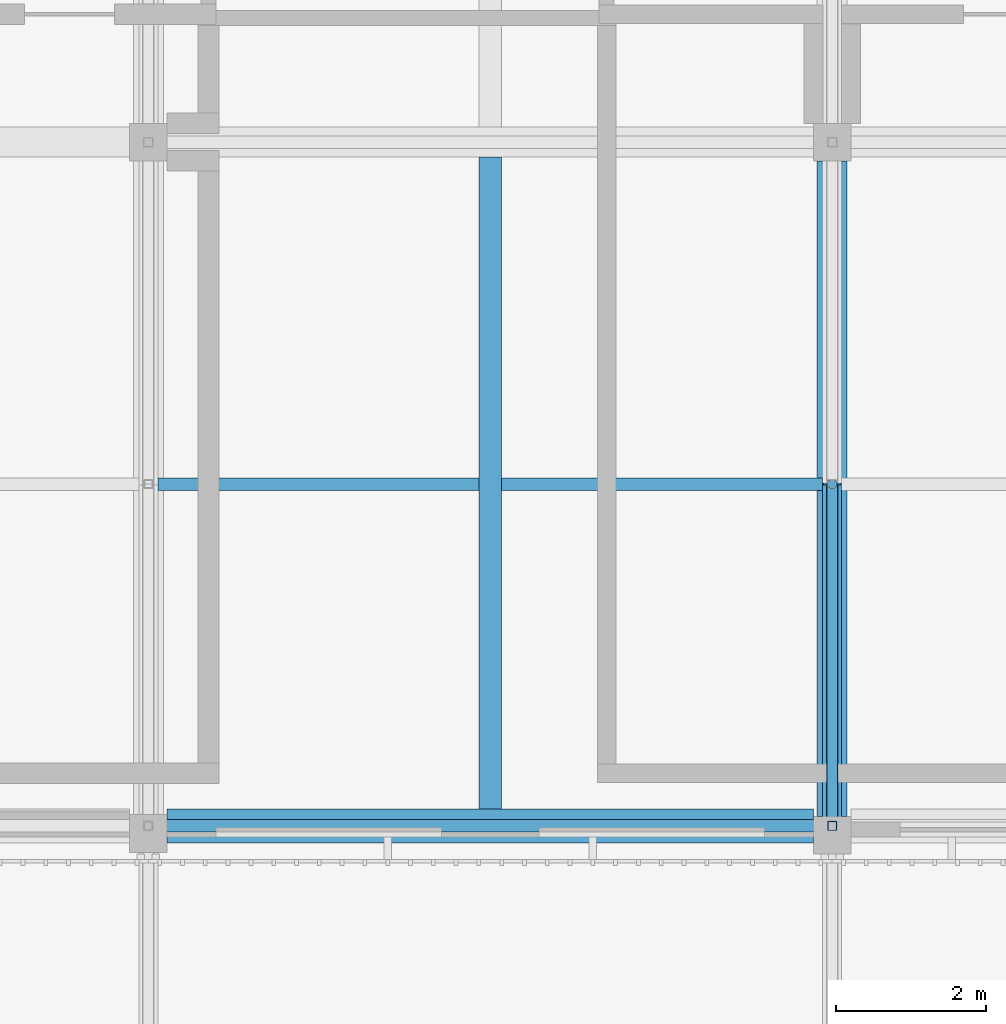
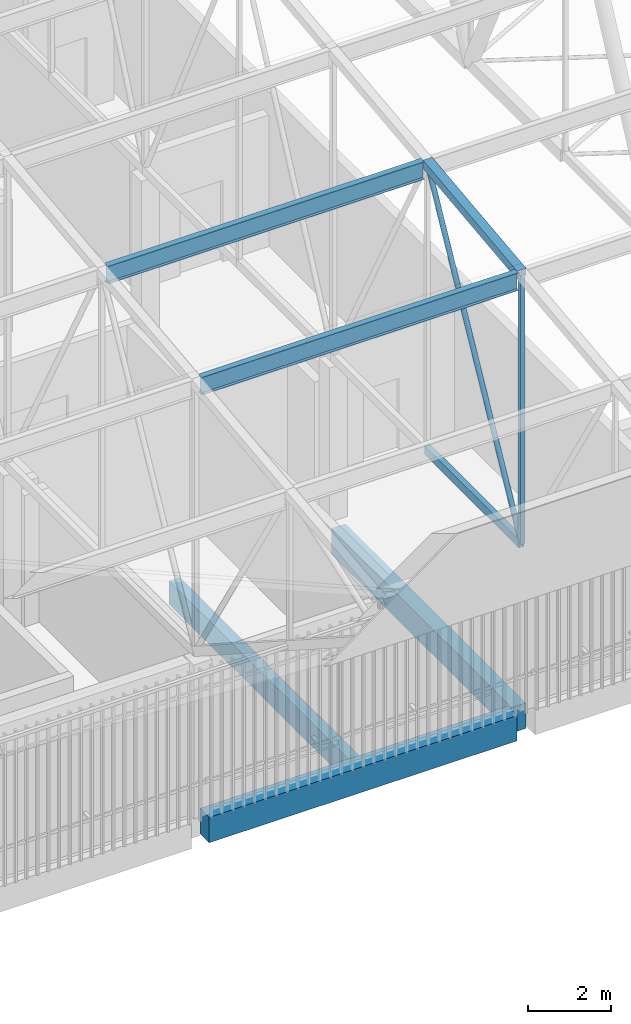
# One storey, part 30 of 500: 6 members, 3 beams.
"""IFC4 building model written with IfcOpenShell, lengths in metres."""

from ifc_helpers import new_model, si_unit, direction, frame, origin, origin_2d, place, context, subcontext, project, spatial, rectangle, hollow_rectangle, hollow_circle, i_section, extrude, material, material_profile, profile_set, type_object, element, save


model = new_model("IFC4")

# Units and contexts
model_context = context("Model", 3, precision=1e-05, world=origin(), true_north=direction((0.0, 1.0)))
body_context = subcontext(model_context, "Body", "Model", "MODEL_VIEW")
ifc_project = project(units=[si_unit("LENGTHUNIT", "METRE"), si_unit("AREAUNIT", "SQUARE_METRE"), si_unit("VOLUMEUNIT", "CUBIC_METRE"), si_unit("PLANEANGLEUNIT", "RADIAN"), si_unit("MASSUNIT", "GRAM", prefix="KILO")], contexts=[model_context])

# Site, building, storey
site_placement = place(None, origin())
site = spatial("IfcSite", under=ifc_project, at=site_placement, CompositionType="ELEMENT")
building_placement = place(site_placement, origin())
building = spatial("IfcBuilding", under=site, at=building_placement, Name="Shirokan Park Arena", CompositionType="ELEMENT")
storey_placement = place(building_placement, frame((0.0, 0.0, 29.1201171875)))
storey = spatial("IfcBuildingStorey", under=building, at=storey_placement, Name="L06", CompositionType="ELEMENT", Elevation=29.1201171875)

# Members
ifc_material_1 = material(Name="Steel ASTM A500 Grade C", Category="steel")
ifc_material_profile_1 = material_profile(ifc_material_1, hollow_rectangle(XDim=0.152099609375, YDim=0.25390625, WallThickness=0.009521484375, at=origin_2d()), Name="HSS254X152.4X9.5")
ifc_profile_set_1 = profile_set([ifc_material_profile_1], Name="Steel ASTM A500 Grade C")
member_type_1 = type_object("IfcMemberType", Name="Bottom chord HSS254X152.4X9.5", PredefinedType="CHORD", material=ifc_profile_set_1)
member_1_placement = place(storey_placement, frame((36.39990234375, 0.0, 4.677001953125), z_axis=(0.0, 1.0, 0.0), x_axis=(-1.0, 0.0, 0.0)))
element("IfcMember", 1, at=member_1_placement, inside=storey, type_object=member_type_1, Name="Truss T05 bottom chord 3", PredefinedType="CHORD", context=body_context, shape_type="SweptSolid", body=[
    extrude(hollow_rectangle(XDim=0.152099609375, YDim=0.25390625, WallThickness=0.009521484375, at=origin_2d()), origin(), (0.0, 0.0, 1.0), 4.550048828125),
])
ifc_material_2 = material(Name="Steel ASTM A992", Category="steel")
ifc_material_profile_2 = material_profile(ifc_material_2, i_section(OverallWidth=0.166015625, OverallDepth=0.528076171875, WebThickness=0.009765625, FlangeThickness=0.013671875, at=origin_2d()), Name="W530X74")
ifc_profile_set_2 = profile_set([ifc_material_profile_2], Name="Steel ASTM A992")
member_type_2 = type_object("IfcMemberType", Name="Purlin W530X74", PredefinedType="PURLIN", material=ifc_profile_set_2)
for number, where, z_axis, x_axis, name in (
    (2, (27.427001953125, 0.0, 12.48583984375), (1.0, 0.0, 0.0), (0.0, 1.0, 0.0), "Purlin 3 bay 4"),
    (3, (27.427001953125, 4.550048828125, 13.005859375), (1.0, 0.0, 0.0), (0.0, 1.0, 0.0), "Purlin 4 bay 4"),
):
    element("IfcMember", number, at=place(storey_placement, frame(where, z_axis=z_axis, x_axis=x_axis)), inside=storey, type_object=member_type_2, Name=name, PredefinedType="PURLIN", context=body_context, shape_type="SweptSolid", body=[
        extrude(i_section(OverallWidth=0.166015625, OverallDepth=0.528076171875, WebThickness=0.009765625, FlangeThickness=0.013671875, at=origin_2d()), origin(), (0.0, 0.0, 1.0), 8.845947265625),
    ])

# Beams
ifc_material_3 = material(Name="Concrete C35", Category="concrete")
ifc_material_profile_3 = material_profile(ifc_material_3, rectangle(XDim=0.39990234375, YDim=0.75, at=origin_2d()), Name="400x750")
ifc_profile_set_3 = profile_set([ifc_material_profile_3], Name="Concrete C35")
beam_type_1 = type_object("IfcBeamType", Name="RC girder 400x750", PredefinedType="BEAM", material=ifc_profile_set_3)
beam_1_placement = place(storey_placement, frame((36.39990234375, 0.125, -0.5751953125), z_axis=(0.0, 1.0, 0.0), x_axis=(-1.0, 0.0, 0.0)))
element("IfcBeam", 4, at=beam_1_placement, inside=storey, type_object=beam_type_1, Name="Girder 5A-5B L06", PredefinedType="BEAM", context=body_context, shape_type="SweptSolid", body=[
    extrude(rectangle(XDim=0.39990234375, YDim=0.75, at=origin_2d()), origin(), (0.0, 0.0, 1.0), 8.724853515625),
])
ifc_material_profile_4 = material_profile(ifc_material_3, rectangle(XDim=0.449951171875, YDim=0.75, at=origin_2d()), Name="450x750")
ifc_profile_set_4 = profile_set([ifc_material_profile_4], Name="Concrete C35")
beam_type_2 = type_object("IfcBeamType", Name="RC girder 450x750", PredefinedType="BEAM", material=ifc_profile_set_4)
beam_2_placement = place(storey_placement, frame((27.550048828125, 0.0, -0.5751953125), z_axis=(1.0, 0.0, 0.0), x_axis=(0.0, 1.0, 0.0)))
element("IfcBeam", 5, at=beam_2_placement, inside=storey, type_object=beam_type_2, Name="Girder 4A-5A L06", PredefinedType="BEAM", context=body_context, shape_type="SweptSolid", body=[
    extrude(rectangle(XDim=0.449951171875, YDim=0.75, at=origin_2d()), origin(), (0.0, 0.0, 1.0), 8.599853515625),
])
ifc_material_profile_5 = material_profile(ifc_material_3, rectangle(XDim=0.300048828125, YDim=0.699951171875, at=origin_2d()), Name="300x700")
ifc_profile_set_5 = profile_set([ifc_material_profile_5], Name="Concrete C35")
beam_type_3 = type_object("IfcBeamType", Name="RC joist 300x700", PredefinedType="JOIST", material=ifc_profile_set_5)
beam_3_placement = place(storey_placement, frame((31.85009765625, 0.22509765625, -0.550048828125), z_axis=(0.0, 1.0, 0.0), x_axis=(-1.0, 0.0, 0.0)))
element("IfcBeam", 6, at=beam_3_placement, inside=storey, type_object=beam_type_3, Name="Joist 5A L06", PredefinedType="JOIST", context=body_context, shape_type="SweptSolid", body=[
    extrude(rectangle(XDim=0.300048828125, YDim=0.699951171875, at=origin_2d()), origin(), (0.0, 0.0, 1.0), 8.6748046875),
])

# Members
ifc_material_profile_6 = material_profile(ifc_material_1, hollow_rectangle(XDim=0.25390625, YDim=0.25390625, WallThickness=0.009521484375, at=origin_2d()), Name="HSS254X254X9.5")
ifc_profile_set_6 = profile_set([ifc_material_profile_6], Name="Steel ASTM A500 Grade C")
member_type_3 = type_object("IfcMemberType", Name="Top chord HSS254X254X9.5", PredefinedType="CHORD", material=ifc_profile_set_6)
member_2_placement = place(storey_placement, frame((36.39990234375, 0.0, 12.622802734375), z_axis=(0.0, 0.993532328996, 0.113549598152), x_axis=(-1.0, 0.0, 0.0)))
element("IfcMember", 7, at=member_2_placement, inside=storey, type_object=member_type_3, Name="Truss T05 top chord 3", PredefinedType="CHORD", context=body_context, shape_type="SweptSolid", body=[
    extrude(hollow_rectangle(XDim=0.25390625, YDim=0.25390625, WallThickness=0.009521484375, at=origin_2d()), origin(), (0.0, 0.0, 1.0), 4.57958984375),
])
ifc_material_profile_7 = material_profile(ifc_material_1, hollow_circle(Radius=0.070556640625, WallThickness=0.006591796875, at=origin_2d()), Name="HSS141.3X6.6")
ifc_profile_set_7 = profile_set([ifc_material_profile_7], Name="Steel ASTM A500 Grade C")
member_type_4 = type_object("IfcMemberType", Name="Truss diagonal HSS141.3X6.6", PredefinedType="BRACE", material=ifc_profile_set_7)
member_3_placement = place(storey_placement, frame((36.39990234375, 0.0, 4.677001953125), z_axis=(0.0, 0.473416507165, 0.880838697347), x_axis=(-1.0, 0.0, 0.0)))
element("IfcMember", 8, at=member_3_placement, inside=storey, type_object=member_type_4, Name="Truss T05 diagonal 3", PredefinedType="BRACE", context=body_context, shape_type="SweptSolid", body=[
    extrude(hollow_circle(Radius=0.070556640625, WallThickness=0.006591796875, at=origin_2d()), origin(), (0.0, 0.0, 1.0), 9.611083984375),
])
ifc_material_profile_8 = material_profile(ifc_material_1, hollow_rectangle(XDim=0.126953125, YDim=0.126953125, WallThickness=0.0126953125, at=origin_2d()), Name="HSS127X127X12.7")
ifc_profile_set_8 = profile_set([ifc_material_profile_8], Name="Steel ASTM A500 Grade C")
member_type_5 = type_object("IfcMemberType", Name="Truss post HSS127X127X12.7", PredefinedType="POST", material=ifc_profile_set_8)
member_4_placement = place(storey_placement, frame((36.39990234375, 0.0, 4.677001953125), z_axis=(0.0, 0.0, 1.0), x_axis=(1.0, 0.0, 0.0)))
element("IfcMember", 9, at=member_4_placement, inside=storey, type_object=member_type_5, Name="Truss T05 post 3", PredefinedType="POST", context=body_context, shape_type="SweptSolid", body=[
    extrude(hollow_rectangle(XDim=0.126953125, YDim=0.126953125, WallThickness=0.0126953125, at=origin_2d()), origin(), (0.0, 0.0, 1.0), 7.94580078125),
])

save(model, "model.ifc")
